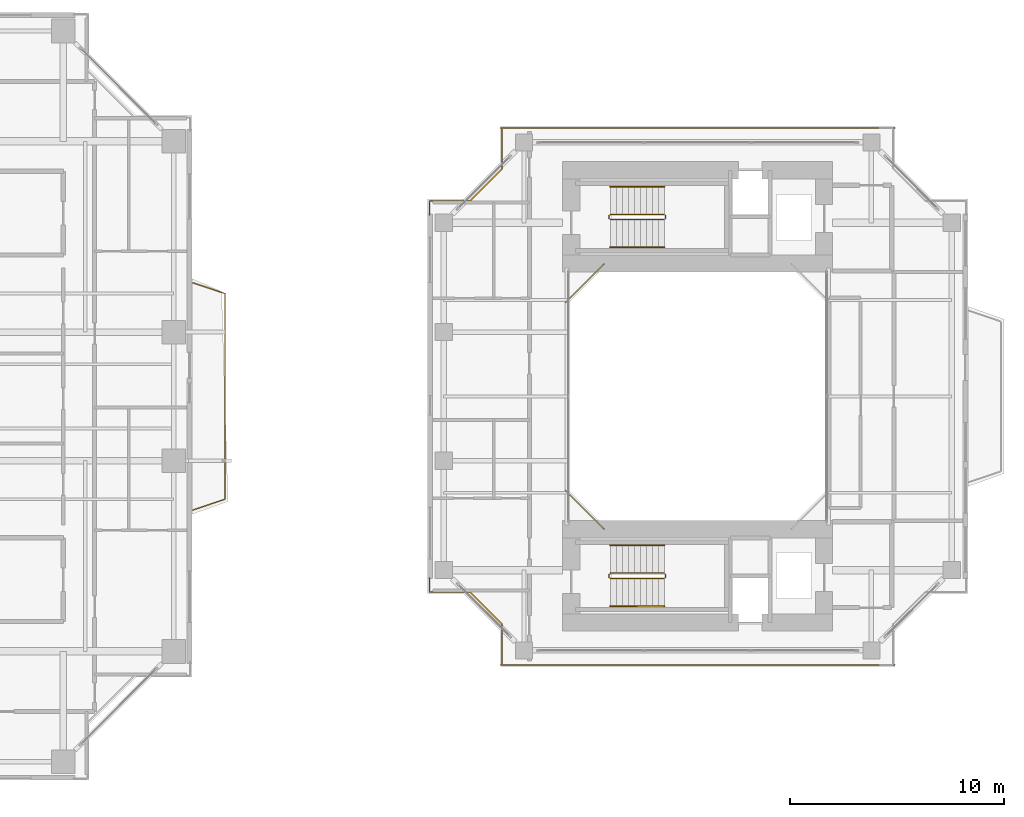
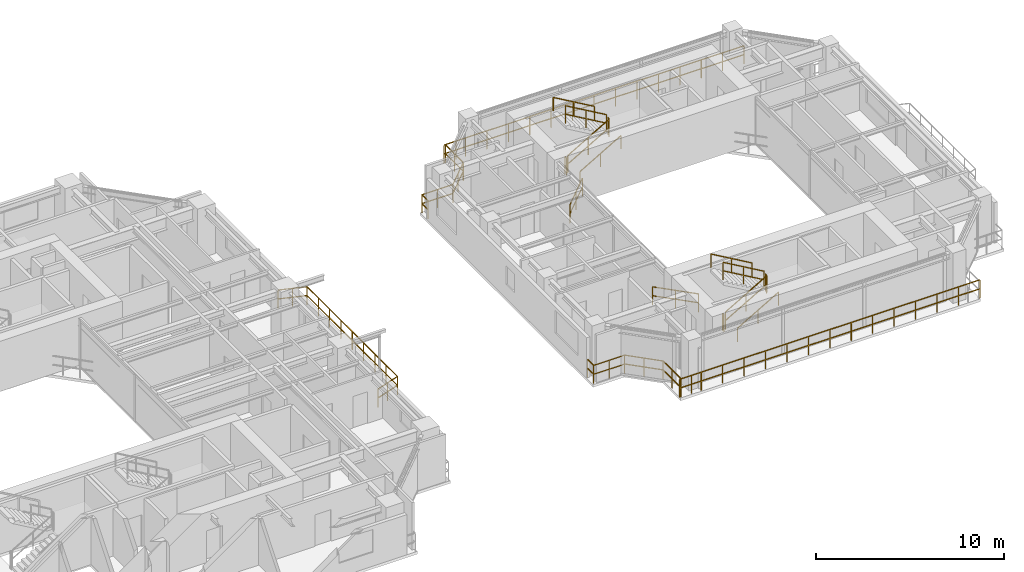
# One storey, part 23 of 24: 19 railings.
"""IFC4 building model written with IfcOpenShell, lengths in metres."""

from ifc_helpers import new_model, si_unit, direction, frame, origin, origin_2d, place, context, subcontext, project, spatial, rectangle, extrude, material, type_object, element, save


model = new_model("IFC4")

# Units and contexts
model_context = context("Model", 3, precision=1e-05, world=origin(), true_north=direction((0.0, 1.0)))
body_context = subcontext(model_context, "Body", "Model", "MODEL_VIEW")
ifc_project = project(units=[si_unit("LENGTHUNIT", "METRE"), si_unit("AREAUNIT", "SQUARE_METRE"), si_unit("VOLUMEUNIT", "CUBIC_METRE"), si_unit("PLANEANGLEUNIT", "RADIAN"), si_unit("MASSUNIT", "GRAM", prefix="KILO"), si_unit("THERMODYNAMICTEMPERATUREUNIT", "KELVIN"), si_unit("POWERUNIT", "WATT")], contexts=[model_context])

# Site, building, storey
site_placement = place(None, origin())
site = spatial("IfcSite", under=ifc_project, at=site_placement, CompositionType="ELEMENT")
building_placement = place(site_placement, origin())
building = spatial("IfcBuilding", under=site, at=building_placement, Name="Qiaomeng Ring Towers", CompositionType="ELEMENT")
storey_placement = place(building_placement, frame((0.0, 0.0, 106.75)))
storey = spatial("IfcBuildingStorey", under=building, at=storey_placement, Name="L30", CompositionType="ELEMENT", Elevation=106.75)

# Railings
ifc_material_1 = material(Name="Low-E pale-green laminated safety glass", Category="glass")
railing_type_1 = type_object("IfcRailingType", Name="ARC-RL-BAL1", PredefinedType="BALUSTRADE", material=ifc_material_1)
railing_1_placement = place(storey_placement, frame((36.949951171875, 17.699951171875, 0.0)))
element("IfcRailing", 1, at=railing_1_placement, inside=storey, type_object=railing_type_1, Name="L30 Balustrade ARC-BAL-L30-T1-E", PredefinedType="BALUSTRADE", context=body_context, shape_type="SweptSolid", body=[
    extrude(rectangle(XDim=0.048095703125, YDim=0.048095703125, at=origin_2d()), frame((0.0, 0.0, 1.17578125), z_axis=(0.948044476945, 0.318137815629, 0.0), x_axis=(-0.318137815629, 0.948044476945, 0.0)), (0.0, 0.0, 1.0), 1.571533203125),
    extrude(rectangle(XDim=0.048095703125, YDim=0.048095703125, at=origin_2d()), frame((0.0, 0.0, 0.60009765625), z_axis=(0.948044476945, 0.318137815629, 0.0), x_axis=(-0.318137815629, 0.948044476945, 0.0)), (0.0, 0.0, 1.0), 1.571533203125),
    extrude(rectangle(XDim=0.048095703125, YDim=0.048095703125, at=origin_2d()), frame((1.489990234375, 0.5, 1.17578125), z_axis=(0.0, 1.0, 0.0), x_axis=(-1.0, 0.0, 0.0)), (0.0, 0.0, 1.0), 9.60009765625),
    extrude(rectangle(XDim=0.048095703125, YDim=0.048095703125, at=origin_2d()), frame((1.489990234375, 0.5, 0.60009765625), z_axis=(0.0, 1.0, 0.0), x_axis=(-1.0, 0.0, 0.0)), (0.0, 0.0, 1.0), 9.60009765625),
    extrude(rectangle(XDim=0.048095703125, YDim=0.048095703125, at=origin_2d()), frame((1.489990234375, 10.10009765625, 1.17578125), z_axis=(-0.948044476945, 0.318137815629, 0.0), x_axis=(-0.318137815629, -0.948044476945, 0.0)), (0.0, 0.0, 1.0), 1.571533203125),
    extrude(rectangle(XDim=0.048095703125, YDim=0.048095703125, at=origin_2d()), frame((1.489990234375, 10.10009765625, 0.60009765625), z_axis=(-0.948044476945, 0.318137815629, 0.0), x_axis=(-0.318137815629, -0.948044476945, 0.0)), (0.0, 0.0, 1.0), 1.571533203125),
    extrude(rectangle(XDim=0.0419921875, YDim=0.0419921875, at=origin_2d()), origin(), (0.0, 0.0, 1.0), 1.15185546875),
    extrude(rectangle(XDim=0.0419921875, YDim=0.0419921875, at=origin_2d()), frame((0.7451171875, 0.25, 0.0)), (0.0, 0.0, 1.0), 1.15185546875),
    extrude(rectangle(XDim=0.0419921875, YDim=0.0419921875, at=origin_2d()), frame((1.489990234375, 0.5, 0.0)), (0.0, 0.0, 1.0), 1.15185546875),
    extrude(rectangle(XDim=0.0419921875, YDim=0.0419921875, at=origin_2d()), frame((1.489990234375, 1.699951171875, 0.0)), (0.0, 0.0, 1.0), 1.15185546875),
    extrude(rectangle(XDim=0.0419921875, YDim=0.0419921875, at=origin_2d()), frame((1.489990234375, 2.89990234375, 0.0)), (0.0, 0.0, 1.0), 1.15185546875),
    extrude(rectangle(XDim=0.0419921875, YDim=0.0419921875, at=origin_2d()), frame((1.489990234375, 4.10009765625, 0.0)), (0.0, 0.0, 1.0), 1.15185546875),
    extrude(rectangle(XDim=0.0419921875, YDim=0.0419921875, at=origin_2d()), frame((1.489990234375, 5.300048828125, 0.0)), (0.0, 0.0, 1.0), 1.15185546875),
    extrude(rectangle(XDim=0.0419921875, YDim=0.0419921875, at=origin_2d()), frame((1.489990234375, 6.5, 0.0)), (0.0, 0.0, 1.0), 1.15185546875),
    extrude(rectangle(XDim=0.0419921875, YDim=0.0419921875, at=origin_2d()), frame((1.489990234375, 7.7001953125, 0.0)), (0.0, 0.0, 1.0), 1.15185546875),
    extrude(rectangle(XDim=0.0419921875, YDim=0.0419921875, at=origin_2d()), frame((1.489990234375, 8.900146484375, 0.0)), (0.0, 0.0, 1.0), 1.15185546875),
    extrude(rectangle(XDim=0.0419921875, YDim=0.0419921875, at=origin_2d()), frame((1.489990234375, 10.10009765625, 0.0)), (0.0, 0.0, 1.0), 1.15185546875),
    extrude(rectangle(XDim=0.0419921875, YDim=0.0419921875, at=origin_2d()), frame((0.7451171875, 10.35009765625, 0.0)), (0.0, 0.0, 1.0), 1.15185546875),
    extrude(rectangle(XDim=0.0419921875, YDim=0.0419921875, at=origin_2d()), frame((0.0, 10.60009765625, 0.0)), (0.0, 0.0, 1.0), 1.15185546875),
])
railing_2_placement = place(storey_placement, frame((56.1201171875, 29.179931640625, 0.0)))
element("IfcRailing", 2, at=railing_2_placement, inside=storey, type_object=railing_type_1, Name="L30 Balustrade ARC-BAL-WELL2-L30-3", PredefinedType="BALUSTRADE", context=body_context, shape_type="SweptSolid", body=[
    extrude(rectangle(XDim=0.048095703125, YDim=0.048095703125, at=origin_2d()), frame((0.0, 0.0, 1.17578125), z_axis=(-0.707106781187, -0.707106781187, 0.0), x_axis=(0.707106781187, -0.707106781187, 0.0)), (0.0, 0.0, 1.0), 2.545654296875),
    extrude(rectangle(XDim=0.048095703125, YDim=0.048095703125, at=origin_2d()), frame((0.0, 0.0, 0.60009765625), z_axis=(-0.707106781187, -0.707106781187, 0.0), x_axis=(0.707106781187, -0.707106781187, 0.0)), (0.0, 0.0, 1.0), 2.545654296875),
    extrude(rectangle(XDim=0.0419921875, YDim=0.0419921875, at=origin_2d()), origin(), (0.0, 0.0, 1.0), 1.15185546875),
    extrude(rectangle(XDim=0.0419921875, YDim=0.0419921875, at=origin_2d()), frame((-0.89990234375, -0.89990234375, 0.0)), (0.0, 0.0, 1.0), 1.15185546875),
    extrude(rectangle(XDim=0.0419921875, YDim=0.0419921875, at=origin_2d()), frame((-1.800048828125, -1.800048828125, 0.0)), (0.0, 0.0, 1.0), 1.15185546875),
])
railing_3_placement = place(storey_placement, frame((54.320068359375, 18.6201171875, 0.0)))
element("IfcRailing", 3, at=railing_3_placement, inside=storey, type_object=railing_type_1, Name="L30 Balustrade ARC-BAL-WELL2-L30-4", PredefinedType="BALUSTRADE", context=body_context, shape_type="SweptSolid", body=[
    extrude(rectangle(XDim=0.048095703125, YDim=0.048095703125, at=origin_2d()), frame((0.0, 0.0, 1.17578125), z_axis=(0.707106781187, -0.707106781187, 0.0), x_axis=(0.707106781187, 0.707106781187, 0.0)), (0.0, 0.0, 1.0), 2.545654296875),
    extrude(rectangle(XDim=0.048095703125, YDim=0.048095703125, at=origin_2d()), frame((0.0, 0.0, 0.60009765625), z_axis=(0.707106781187, -0.707106781187, 0.0), x_axis=(0.707106781187, 0.707106781187, 0.0)), (0.0, 0.0, 1.0), 2.545654296875),
    extrude(rectangle(XDim=0.0419921875, YDim=0.0419921875, at=origin_2d()), origin(), (0.0, 0.0, 1.0), 1.15185546875),
    extrude(rectangle(XDim=0.0419921875, YDim=0.0419921875, at=origin_2d()), frame((0.89990234375, -0.89990234375, 0.0)), (0.0, 0.0, 1.0), 1.15185546875),
    extrude(rectangle(XDim=0.0419921875, YDim=0.0419921875, at=origin_2d()), frame((1.800048828125, -1.800048828125, 0.0)), (0.0, 0.0, 1.0), 1.15185546875),
])
railing_4_placement = place(storey_placement, frame((52.030029296875, 35.52001953125, 0.0)))
element("IfcRailing", 4, at=railing_4_placement, inside=storey, type_object=railing_type_1, Name="L30 Balustrade ARC-BAL-NOTCH2-L30-NW", PredefinedType="BALUSTRADE", context=body_context, shape_type="SweptSolid", body=[
    extrude(rectangle(XDim=0.048095703125, YDim=0.048095703125, at=origin_2d()), frame((0.0, 0.0, 1.17578125), z_axis=(-1.0, 0.0, 0.0), x_axis=(0.0, -1.0, 0.0)), (0.0, 0.0, 1.0), 0.650146484375),
    extrude(rectangle(XDim=0.048095703125, YDim=0.048095703125, at=origin_2d()), frame((0.0, 0.0, 0.60009765625), z_axis=(-1.0, 0.0, 0.0), x_axis=(0.0, -1.0, 0.0)), (0.0, 0.0, 1.0), 0.650146484375),
    extrude(rectangle(XDim=0.048095703125, YDim=0.048095703125, at=origin_2d()), frame((-0.650146484375, 0.0, 1.17578125), z_axis=(0.0, -1.0, 0.0), x_axis=(1.0, 0.0, 0.0)), (0.0, 0.0, 1.0), 1.89990234375),
    extrude(rectangle(XDim=0.048095703125, YDim=0.048095703125, at=origin_2d()), frame((-0.650146484375, 0.0, 0.60009765625), z_axis=(0.0, -1.0, 0.0), x_axis=(1.0, 0.0, 0.0)), (0.0, 0.0, 1.0), 1.89990234375),
    extrude(rectangle(XDim=0.048095703125, YDim=0.048095703125, at=origin_2d()), frame((-0.650146484375, -1.89990234375, 1.17578125), z_axis=(-0.707106781187, -0.707106781187, 0.0), x_axis=(0.707106781187, -0.707106781187, 0.0)), (0.0, 0.0, 1.0), 2.121337890625),
    extrude(rectangle(XDim=0.048095703125, YDim=0.048095703125, at=origin_2d()), frame((-0.650146484375, -1.89990234375, 0.60009765625), z_axis=(-0.707106781187, -0.707106781187, 0.0), x_axis=(0.707106781187, -0.707106781187, 0.0)), (0.0, 0.0, 1.0), 2.121337890625),
    extrude(rectangle(XDim=0.048095703125, YDim=0.048095703125, at=origin_2d()), frame((-2.150146484375, -3.39990234375, 1.17578125), z_axis=(-1.0, 0.0, 0.0), x_axis=(0.0, -1.0, 0.0)), (0.0, 0.0, 1.0), 1.89990234375),
    extrude(rectangle(XDim=0.048095703125, YDim=0.048095703125, at=origin_2d()), frame((-2.150146484375, -3.39990234375, 0.60009765625), z_axis=(-1.0, 0.0, 0.0), x_axis=(0.0, -1.0, 0.0)), (0.0, 0.0, 1.0), 1.89990234375),
    extrude(rectangle(XDim=0.048095703125, YDim=0.048095703125, at=origin_2d()), frame((-4.050048828125, -3.39990234375, 1.17578125), z_axis=(0.0, -1.0, 0.0), x_axis=(1.0, 0.0, 0.0)), (0.0, 0.0, 1.0), 0.650146484375),
    extrude(rectangle(XDim=0.048095703125, YDim=0.048095703125, at=origin_2d()), frame((-4.050048828125, -3.39990234375, 0.60009765625), z_axis=(0.0, -1.0, 0.0), x_axis=(1.0, 0.0, 0.0)), (0.0, 0.0, 1.0), 0.650146484375),
    extrude(rectangle(XDim=0.0419921875, YDim=0.0419921875, at=origin_2d()), origin(), (0.0, 0.0, 1.0), 1.15185546875),
    extrude(rectangle(XDim=0.0419921875, YDim=0.0419921875, at=origin_2d()), frame((-0.650146484375, 0.0, 0.0)), (0.0, 0.0, 1.0), 1.15185546875),
    extrude(rectangle(XDim=0.0419921875, YDim=0.0419921875, at=origin_2d()), frame((-0.650146484375, -0.949951171875, 0.0)), (0.0, 0.0, 1.0), 1.15185546875),
    extrude(rectangle(XDim=0.0419921875, YDim=0.0419921875, at=origin_2d()), frame((-0.650146484375, -1.89990234375, 0.0)), (0.0, 0.0, 1.0), 1.15185546875),
    extrude(rectangle(XDim=0.0419921875, YDim=0.0419921875, at=origin_2d()), frame((-1.400146484375, -2.64990234375, 0.0)), (0.0, 0.0, 1.0), 1.15185546875),
    extrude(rectangle(XDim=0.0419921875, YDim=0.0419921875, at=origin_2d()), frame((-2.150146484375, -3.39990234375, 0.0)), (0.0, 0.0, 1.0), 1.15185546875),
    extrude(rectangle(XDim=0.0419921875, YDim=0.0419921875, at=origin_2d()), frame((-3.10009765625, -3.39990234375, 0.0)), (0.0, 0.0, 1.0), 1.15185546875),
    extrude(rectangle(XDim=0.0419921875, YDim=0.0419921875, at=origin_2d()), frame((-4.050048828125, -3.39990234375, 0.0)), (0.0, 0.0, 1.0), 1.15185546875),
    extrude(rectangle(XDim=0.0419921875, YDim=0.0419921875, at=origin_2d()), frame((-4.050048828125, -4.050048828125, 0.0)), (0.0, 0.0, 1.0), 1.15185546875),
])
railing_5_placement = place(storey_placement, frame((47.97998046875, 14.530029296875, 0.0)))
element("IfcRailing", 5, at=railing_5_placement, inside=storey, type_object=railing_type_1, Name="L30 Balustrade ARC-BAL-NOTCH2-L30-SW", PredefinedType="BALUSTRADE", context=body_context, shape_type="SweptSolid", body=[
    extrude(rectangle(XDim=0.048095703125, YDim=0.048095703125, at=origin_2d()), frame((0.0, 0.0, 1.17578125), z_axis=(0.0, -1.0, 0.0), x_axis=(1.0, 0.0, 0.0)), (0.0, 0.0, 1.0), 0.650146484375),
    extrude(rectangle(XDim=0.048095703125, YDim=0.048095703125, at=origin_2d()), frame((0.0, 0.0, 0.60009765625), z_axis=(0.0, -1.0, 0.0), x_axis=(1.0, 0.0, 0.0)), (0.0, 0.0, 1.0), 0.650146484375),
    extrude(rectangle(XDim=0.048095703125, YDim=0.048095703125, at=origin_2d()), frame((0.0, -0.650146484375, 1.17578125), z_axis=(1.0, 0.0, 0.0), x_axis=(0.0, 1.0, 0.0)), (0.0, 0.0, 1.0), 1.89990234375),
    extrude(rectangle(XDim=0.048095703125, YDim=0.048095703125, at=origin_2d()), frame((0.0, -0.650146484375, 0.60009765625), z_axis=(1.0, 0.0, 0.0), x_axis=(0.0, 1.0, 0.0)), (0.0, 0.0, 1.0), 1.89990234375),
    extrude(rectangle(XDim=0.048095703125, YDim=0.048095703125, at=origin_2d()), frame((1.89990234375, -0.650146484375, 1.17578125), z_axis=(0.707106781187, -0.707106781187, 0.0), x_axis=(0.707106781187, 0.707106781187, 0.0)), (0.0, 0.0, 1.0), 2.121337890625),
    extrude(rectangle(XDim=0.048095703125, YDim=0.048095703125, at=origin_2d()), frame((1.89990234375, -0.650146484375, 0.60009765625), z_axis=(0.707106781187, -0.707106781187, 0.0), x_axis=(0.707106781187, 0.707106781187, 0.0)), (0.0, 0.0, 1.0), 2.121337890625),
    extrude(rectangle(XDim=0.048095703125, YDim=0.048095703125, at=origin_2d()), frame((3.39990234375, -2.150146484375, 1.17578125), z_axis=(0.0, -1.0, 0.0), x_axis=(1.0, 0.0, 0.0)), (0.0, 0.0, 1.0), 1.89990234375),
    extrude(rectangle(XDim=0.048095703125, YDim=0.048095703125, at=origin_2d()), frame((3.39990234375, -2.150146484375, 0.60009765625), z_axis=(0.0, -1.0, 0.0), x_axis=(1.0, 0.0, 0.0)), (0.0, 0.0, 1.0), 1.89990234375),
    extrude(rectangle(XDim=0.048095703125, YDim=0.048095703125, at=origin_2d()), frame((3.39990234375, -4.050048828125, 1.17578125), z_axis=(1.0, 0.0, 0.0), x_axis=(0.0, 1.0, 0.0)), (0.0, 0.0, 1.0), 0.650146484375),
    extrude(rectangle(XDim=0.048095703125, YDim=0.048095703125, at=origin_2d()), frame((3.39990234375, -4.050048828125, 0.60009765625), z_axis=(1.0, 0.0, 0.0), x_axis=(0.0, 1.0, 0.0)), (0.0, 0.0, 1.0), 0.650146484375),
    extrude(rectangle(XDim=0.0419921875, YDim=0.0419921875, at=origin_2d()), origin(), (0.0, 0.0, 1.0), 1.15185546875),
    extrude(rectangle(XDim=0.0419921875, YDim=0.0419921875, at=origin_2d()), frame((0.0, -0.650146484375, 0.0)), (0.0, 0.0, 1.0), 1.15185546875),
    extrude(rectangle(XDim=0.0419921875, YDim=0.0419921875, at=origin_2d()), frame((0.949951171875, -0.650146484375, 0.0)), (0.0, 0.0, 1.0), 1.15185546875),
    extrude(rectangle(XDim=0.0419921875, YDim=0.0419921875, at=origin_2d()), frame((1.89990234375, -0.650146484375, 0.0)), (0.0, 0.0, 1.0), 1.15185546875),
    extrude(rectangle(XDim=0.0419921875, YDim=0.0419921875, at=origin_2d()), frame((2.64990234375, -1.400146484375, 0.0)), (0.0, 0.0, 1.0), 1.15185546875),
    extrude(rectangle(XDim=0.0419921875, YDim=0.0419921875, at=origin_2d()), frame((3.39990234375, -2.150146484375, 0.0)), (0.0, 0.0, 1.0), 1.15185546875),
    extrude(rectangle(XDim=0.0419921875, YDim=0.0419921875, at=origin_2d()), frame((3.39990234375, -3.10009765625, 0.0)), (0.0, 0.0, 1.0), 1.15185546875),
    extrude(rectangle(XDim=0.0419921875, YDim=0.0419921875, at=origin_2d()), frame((3.39990234375, -4.050048828125, 0.0)), (0.0, 0.0, 1.0), 1.15185546875),
    extrude(rectangle(XDim=0.0419921875, YDim=0.0419921875, at=origin_2d()), frame((4.050048828125, -4.050048828125, 0.0)), (0.0, 0.0, 1.0), 1.15185546875),
])
railing_6_placement = place(storey_placement, frame((51.300048828125, 35.52001953125, 0.0)))
element("IfcRailing", 6, at=railing_6_placement, inside=storey, type_object=railing_type_1, Name="L30 Balustrade ARC-BAL-T2N-L30", PredefinedType="BALUSTRADE", context=body_context, shape_type="SweptSolid", body=[
    extrude(rectangle(XDim=0.048095703125, YDim=0.048095703125, at=origin_2d()), frame((0.0, 0.0, 1.17578125), z_axis=(1.0, 0.0, 0.0), x_axis=(0.0, 1.0, 0.0)), (0.0, 0.0, 1.0), 18.39990234375),
    extrude(rectangle(XDim=0.048095703125, YDim=0.048095703125, at=origin_2d()), frame((0.0, 0.0, 0.60009765625), z_axis=(1.0, 0.0, 0.0), x_axis=(0.0, 1.0, 0.0)), (0.0, 0.0, 1.0), 18.39990234375),
    extrude(rectangle(XDim=0.0419921875, YDim=0.0419921875, at=origin_2d()), origin(), (0.0, 0.0, 1.0), 1.15185546875),
    extrude(rectangle(XDim=0.0419921875, YDim=0.0419921875, at=origin_2d()), frame((1.314208984375, 0.0, 0.0)), (0.0, 0.0, 1.0), 1.15185546875),
    extrude(rectangle(XDim=0.0419921875, YDim=0.0419921875, at=origin_2d()), frame((2.628662109375, 0.0, 0.0)), (0.0, 0.0, 1.0), 1.15185546875),
    extrude(rectangle(XDim=0.0419921875, YDim=0.0419921875, at=origin_2d()), frame((3.94287109375, 0.0, 0.0)), (0.0, 0.0, 1.0), 1.15185546875),
    extrude(rectangle(XDim=0.0419921875, YDim=0.0419921875, at=origin_2d()), frame((5.257080078125, 0.0, 0.0)), (0.0, 0.0, 1.0), 1.15185546875),
    extrude(rectangle(XDim=0.0419921875, YDim=0.0419921875, at=origin_2d()), frame((6.5712890625, 0.0, 0.0)), (0.0, 0.0, 1.0), 1.15185546875),
    extrude(rectangle(XDim=0.0419921875, YDim=0.0419921875, at=origin_2d()), frame((7.8857421875, 0.0, 0.0)), (0.0, 0.0, 1.0), 1.15185546875),
    extrude(rectangle(XDim=0.0419921875, YDim=0.0419921875, at=origin_2d()), frame((9.199951171875, 0.0, 0.0)), (0.0, 0.0, 1.0), 1.15185546875),
    extrude(rectangle(XDim=0.0419921875, YDim=0.0419921875, at=origin_2d()), frame((10.51416015625, 0.0, 0.0)), (0.0, 0.0, 1.0), 1.15185546875),
    extrude(rectangle(XDim=0.0419921875, YDim=0.0419921875, at=origin_2d()), frame((11.82861328125, 0.0, 0.0)), (0.0, 0.0, 1.0), 1.15185546875),
    extrude(rectangle(XDim=0.0419921875, YDim=0.0419921875, at=origin_2d()), frame((13.142822265625, 0.0, 0.0)), (0.0, 0.0, 1.0), 1.15185546875),
    extrude(rectangle(XDim=0.0419921875, YDim=0.0419921875, at=origin_2d()), frame((14.45703125, 0.0, 0.0)), (0.0, 0.0, 1.0), 1.15185546875),
    extrude(rectangle(XDim=0.0419921875, YDim=0.0419921875, at=origin_2d()), frame((15.771240234375, 0.0, 0.0)), (0.0, 0.0, 1.0), 1.15185546875),
    extrude(rectangle(XDim=0.0419921875, YDim=0.0419921875, at=origin_2d()), frame((17.085693359375, 0.0, 0.0)), (0.0, 0.0, 1.0), 1.15185546875),
    extrude(rectangle(XDim=0.0419921875, YDim=0.0419921875, at=origin_2d()), frame((18.39990234375, 0.0, 0.0)), (0.0, 0.0, 1.0), 1.15185546875),
])
railing_7_placement = place(storey_placement, frame((51.300048828125, 10.47998046875, 0.0)))
element("IfcRailing", 7, at=railing_7_placement, inside=storey, type_object=railing_type_1, Name="L30 Balustrade ARC-BAL-T2S-L30", PredefinedType="BALUSTRADE", context=body_context, shape_type="SweptSolid", body=[
    extrude(rectangle(XDim=0.048095703125, YDim=0.048095703125, at=origin_2d()), frame((0.0, 0.0, 1.17578125), z_axis=(1.0, 0.0, 0.0), x_axis=(0.0, 1.0, 0.0)), (0.0, 0.0, 1.0), 18.39990234375),
    extrude(rectangle(XDim=0.048095703125, YDim=0.048095703125, at=origin_2d()), frame((0.0, 0.0, 0.60009765625), z_axis=(1.0, 0.0, 0.0), x_axis=(0.0, 1.0, 0.0)), (0.0, 0.0, 1.0), 18.39990234375),
    extrude(rectangle(XDim=0.0419921875, YDim=0.0419921875, at=origin_2d()), origin(), (0.0, 0.0, 1.0), 1.15185546875),
    extrude(rectangle(XDim=0.0419921875, YDim=0.0419921875, at=origin_2d()), frame((1.314208984375, 0.0, 0.0)), (0.0, 0.0, 1.0), 1.15185546875),
    extrude(rectangle(XDim=0.0419921875, YDim=0.0419921875, at=origin_2d()), frame((2.628662109375, 0.0, 0.0)), (0.0, 0.0, 1.0), 1.15185546875),
    extrude(rectangle(XDim=0.0419921875, YDim=0.0419921875, at=origin_2d()), frame((3.94287109375, 0.0, 0.0)), (0.0, 0.0, 1.0), 1.15185546875),
    extrude(rectangle(XDim=0.0419921875, YDim=0.0419921875, at=origin_2d()), frame((5.257080078125, 0.0, 0.0)), (0.0, 0.0, 1.0), 1.15185546875),
    extrude(rectangle(XDim=0.0419921875, YDim=0.0419921875, at=origin_2d()), frame((6.5712890625, 0.0, 0.0)), (0.0, 0.0, 1.0), 1.15185546875),
    extrude(rectangle(XDim=0.0419921875, YDim=0.0419921875, at=origin_2d()), frame((7.8857421875, 0.0, 0.0)), (0.0, 0.0, 1.0), 1.15185546875),
    extrude(rectangle(XDim=0.0419921875, YDim=0.0419921875, at=origin_2d()), frame((9.199951171875, 0.0, 0.0)), (0.0, 0.0, 1.0), 1.15185546875),
    extrude(rectangle(XDim=0.0419921875, YDim=0.0419921875, at=origin_2d()), frame((10.51416015625, 0.0, 0.0)), (0.0, 0.0, 1.0), 1.15185546875),
    extrude(rectangle(XDim=0.0419921875, YDim=0.0419921875, at=origin_2d()), frame((11.82861328125, 0.0, 0.0)), (0.0, 0.0, 1.0), 1.15185546875),
    extrude(rectangle(XDim=0.0419921875, YDim=0.0419921875, at=origin_2d()), frame((13.142822265625, 0.0, 0.0)), (0.0, 0.0, 1.0), 1.15185546875),
    extrude(rectangle(XDim=0.0419921875, YDim=0.0419921875, at=origin_2d()), frame((14.45703125, 0.0, 0.0)), (0.0, 0.0, 1.0), 1.15185546875),
    extrude(rectangle(XDim=0.0419921875, YDim=0.0419921875, at=origin_2d()), frame((15.771240234375, 0.0, 0.0)), (0.0, 0.0, 1.0), 1.15185546875),
    extrude(rectangle(XDim=0.0419921875, YDim=0.0419921875, at=origin_2d()), frame((17.085693359375, 0.0, 0.0)), (0.0, 0.0, 1.0), 1.15185546875),
    extrude(rectangle(XDim=0.0419921875, YDim=0.0419921875, at=origin_2d()), frame((18.39990234375, 0.0, 0.0)), (0.0, 0.0, 1.0), 1.15185546875),
])
ifc_material_2 = material(Name="Galvanised steel", Category="steel")
railing_type_2 = type_object("IfcRailingType", Name="ARC-RL-GUARD", PredefinedType="GUARDRAIL", material=ifc_material_2)
railing_8_placement = place(storey_placement, frame((56.419921875, 31.25, 0.16259765625)))
element("IfcRailing", 8, at=railing_8_placement, inside=storey, type_object=railing_type_2, Name="L30 ST5 stair guard 1", PredefinedType="GUARDRAIL", context=body_context, shape_type="SweptSolid", body=[
    extrude(rectangle(XDim=0.048095703125, YDim=0.048095703125, at=origin_2d()), frame((0.0, 0.0, 1.1259765625), z_axis=(0.864913338283, 0.0, 0.50192122615), x_axis=(0.0, 1.0, 0.0)), (0.0, 0.0, 1.0), 2.91357421875),
    extrude(rectangle(XDim=0.048095703125, YDim=0.048095703125, at=origin_2d()), frame((0.0, 0.0, 0.574951171875), z_axis=(0.864913338283, 0.0, 0.50192122615), x_axis=(0.0, 1.0, 0.0)), (0.0, 0.0, 1.0), 2.91357421875),
    extrude(rectangle(XDim=0.0419921875, YDim=0.0419921875, at=origin_2d()), origin(), (0.0, 0.0, 1.0), 1.101806640625),
    extrude(rectangle(XDim=0.0419921875, YDim=0.0419921875, at=origin_2d()), frame((1.260009765625, 0.0, 0.731201171875)), (0.0, 0.0, 1.0), 1.101806640625),
    extrude(rectangle(XDim=0.0419921875, YDim=0.0419921875, at=origin_2d()), frame((2.52001953125, 0.0, 1.46240234375)), (0.0, 0.0, 1.0), 1.101806640625),
])
railing_9_placement = place(storey_placement, frame((58.989990234375, 31.300048828125, 1.625)))
element("IfcRailing", 9, at=railing_9_placement, inside=storey, type_object=railing_type_2, Name="L30 ST5 stair guard 2", PredefinedType="GUARDRAIL", context=body_context, shape_type="SweptSolid", body=[
    extrude(rectangle(XDim=0.048095703125, YDim=0.048095703125, at=origin_2d()), frame((0.0, 0.0, 1.1259765625), z_axis=(0.0, 1.0, 0.0), x_axis=(-1.0, 0.0, 0.0)), (0.0, 0.0, 1.0), 0.139892578125),
    extrude(rectangle(XDim=0.048095703125, YDim=0.048095703125, at=origin_2d()), frame((0.0, 0.0, 0.574951171875), z_axis=(0.0, 1.0, 0.0), x_axis=(-1.0, 0.0, 0.0)), (0.0, 0.0, 1.0), 0.139892578125),
    extrude(rectangle(XDim=0.0419921875, YDim=0.0419921875, at=origin_2d()), origin(), (0.0, 0.0, 1.0), 1.101806640625),
    extrude(rectangle(XDim=0.0419921875, YDim=0.0419921875, at=origin_2d()), frame((0.0, 0.139892578125, 0.0)), (0.0, 0.0, 1.0), 1.101806640625),
])
railing_10_placement = place(storey_placement, frame((58.93994140625, 31.489990234375, 1.78759765625)))
element("IfcRailing", 10, at=railing_10_placement, inside=storey, type_object=railing_type_2, Name="L30 ST5 stair guard 3", PredefinedType="GUARDRAIL", context=body_context, shape_type="SweptSolid", body=[
    extrude(rectangle(XDim=0.048095703125, YDim=0.048095703125, at=origin_2d()), frame((0.0, 0.0, 1.1259765625), z_axis=(-0.864913338283, 0.0, 0.50192122615), x_axis=(0.0, -1.0, 0.0)), (0.0, 0.0, 1.0), 2.91357421875),
    extrude(rectangle(XDim=0.048095703125, YDim=0.048095703125, at=origin_2d()), frame((0.0, 0.0, 0.574951171875), z_axis=(-0.864913338283, 0.0, 0.50192122615), x_axis=(0.0, -1.0, 0.0)), (0.0, 0.0, 1.0), 2.91357421875),
    extrude(rectangle(XDim=0.0419921875, YDim=0.0419921875, at=origin_2d()), origin(), (0.0, 0.0, 1.0), 1.101806640625),
    extrude(rectangle(XDim=0.0419921875, YDim=0.0419921875, at=origin_2d()), frame((-1.260009765625, 0.0, 0.731201171875)), (0.0, 0.0, 1.0), 1.101806640625),
    extrude(rectangle(XDim=0.0419921875, YDim=0.0419921875, at=origin_2d()), frame((-2.52001953125, 0.0, 1.46240234375)), (0.0, 0.0, 1.0), 1.101806640625),
])
railing_11_placement = place(storey_placement, frame((56.3701171875, 31.300048828125, 0.0)))
element("IfcRailing", 11, at=railing_11_placement, inside=storey, type_object=railing_type_2, Name="L30 ST5 stair guard 4", PredefinedType="GUARDRAIL", context=body_context, shape_type="SweptSolid", body=[
    extrude(rectangle(XDim=0.048095703125, YDim=0.048095703125, at=origin_2d()), frame((0.0, 0.0, 1.1259765625), z_axis=(0.0, 1.0, 0.0), x_axis=(-1.0, 0.0, 0.0)), (0.0, 0.0, 1.0), 0.139892578125),
    extrude(rectangle(XDim=0.048095703125, YDim=0.048095703125, at=origin_2d()), frame((0.0, 0.0, 0.574951171875), z_axis=(0.0, 1.0, 0.0), x_axis=(-1.0, 0.0, 0.0)), (0.0, 0.0, 1.0), 0.139892578125),
    extrude(rectangle(XDim=0.0419921875, YDim=0.0419921875, at=origin_2d()), origin(), (0.0, 0.0, 1.0), 1.101806640625),
    extrude(rectangle(XDim=0.0419921875, YDim=0.0419921875, at=origin_2d()), frame((0.0, 0.139892578125, 0.0)), (0.0, 0.0, 1.0), 1.101806640625),
])
railing_12_placement = place(storey_placement, frame((56.419921875, 14.510009765625, 0.16259765625)))
element("IfcRailing", 12, at=railing_12_placement, inside=storey, type_object=railing_type_2, Name="L30 ST6 stair guard 1", PredefinedType="GUARDRAIL", context=body_context, shape_type="SweptSolid", body=[
    extrude(rectangle(XDim=0.048095703125, YDim=0.048095703125, at=origin_2d()), frame((0.0, 0.0, 1.1259765625), z_axis=(0.864913338283, 0.0, 0.50192122615), x_axis=(0.0, 1.0, 0.0)), (0.0, 0.0, 1.0), 2.91357421875),
    extrude(rectangle(XDim=0.048095703125, YDim=0.048095703125, at=origin_2d()), frame((0.0, 0.0, 0.574951171875), z_axis=(0.864913338283, 0.0, 0.50192122615), x_axis=(0.0, 1.0, 0.0)), (0.0, 0.0, 1.0), 2.91357421875),
    extrude(rectangle(XDim=0.0419921875, YDim=0.0419921875, at=origin_2d()), origin(), (0.0, 0.0, 1.0), 1.101806640625),
    extrude(rectangle(XDim=0.0419921875, YDim=0.0419921875, at=origin_2d()), frame((1.260009765625, 0.0, 0.731201171875)), (0.0, 0.0, 1.0), 1.101806640625),
    extrude(rectangle(XDim=0.0419921875, YDim=0.0419921875, at=origin_2d()), frame((2.52001953125, 0.0, 1.46240234375)), (0.0, 0.0, 1.0), 1.101806640625),
])
railing_13_placement = place(storey_placement, frame((58.989990234375, 14.56005859375, 1.625)))
element("IfcRailing", 13, at=railing_13_placement, inside=storey, type_object=railing_type_2, Name="L30 ST6 stair guard 2", PredefinedType="GUARDRAIL", context=body_context, shape_type="SweptSolid", body=[
    extrude(rectangle(XDim=0.048095703125, YDim=0.048095703125, at=origin_2d()), frame((0.0, 0.0, 1.1259765625), z_axis=(0.0, 1.0, 0.0), x_axis=(-1.0, 0.0, 0.0)), (0.0, 0.0, 1.0), 0.139892578125),
    extrude(rectangle(XDim=0.048095703125, YDim=0.048095703125, at=origin_2d()), frame((0.0, 0.0, 0.574951171875), z_axis=(0.0, 1.0, 0.0), x_axis=(-1.0, 0.0, 0.0)), (0.0, 0.0, 1.0), 0.139892578125),
    extrude(rectangle(XDim=0.0419921875, YDim=0.0419921875, at=origin_2d()), origin(), (0.0, 0.0, 1.0), 1.101806640625),
    extrude(rectangle(XDim=0.0419921875, YDim=0.0419921875, at=origin_2d()), frame((0.0, 0.139892578125, 0.0)), (0.0, 0.0, 1.0), 1.101806640625),
])
railing_14_placement = place(storey_placement, frame((58.93994140625, 14.75, 1.78759765625)))
element("IfcRailing", 14, at=railing_14_placement, inside=storey, type_object=railing_type_2, Name="L30 ST6 stair guard 3", PredefinedType="GUARDRAIL", context=body_context, shape_type="SweptSolid", body=[
    extrude(rectangle(XDim=0.048095703125, YDim=0.048095703125, at=origin_2d()), frame((0.0, 0.0, 1.1259765625), z_axis=(-0.864913338283, 0.0, 0.50192122615), x_axis=(0.0, -1.0, 0.0)), (0.0, 0.0, 1.0), 2.91357421875),
    extrude(rectangle(XDim=0.048095703125, YDim=0.048095703125, at=origin_2d()), frame((0.0, 0.0, 0.574951171875), z_axis=(-0.864913338283, 0.0, 0.50192122615), x_axis=(0.0, -1.0, 0.0)), (0.0, 0.0, 1.0), 2.91357421875),
    extrude(rectangle(XDim=0.0419921875, YDim=0.0419921875, at=origin_2d()), origin(), (0.0, 0.0, 1.0), 1.101806640625),
    extrude(rectangle(XDim=0.0419921875, YDim=0.0419921875, at=origin_2d()), frame((-1.260009765625, 0.0, 0.731201171875)), (0.0, 0.0, 1.0), 1.101806640625),
    extrude(rectangle(XDim=0.0419921875, YDim=0.0419921875, at=origin_2d()), frame((-2.52001953125, 0.0, 1.46240234375)), (0.0, 0.0, 1.0), 1.101806640625),
])
railing_15_placement = place(storey_placement, frame((56.3701171875, 14.56005859375, 0.0)))
element("IfcRailing", 15, at=railing_15_placement, inside=storey, type_object=railing_type_2, Name="L30 ST6 stair guard 4", PredefinedType="GUARDRAIL", context=body_context, shape_type="SweptSolid", body=[
    extrude(rectangle(XDim=0.048095703125, YDim=0.048095703125, at=origin_2d()), frame((0.0, 0.0, 1.1259765625), z_axis=(0.0, 1.0, 0.0), x_axis=(-1.0, 0.0, 0.0)), (0.0, 0.0, 1.0), 0.139892578125),
    extrude(rectangle(XDim=0.048095703125, YDim=0.048095703125, at=origin_2d()), frame((0.0, 0.0, 0.574951171875), z_axis=(0.0, 1.0, 0.0), x_axis=(-1.0, 0.0, 0.0)), (0.0, 0.0, 1.0), 0.139892578125),
    extrude(rectangle(XDim=0.0419921875, YDim=0.0419921875, at=origin_2d()), origin(), (0.0, 0.0, 1.0), 1.101806640625),
    extrude(rectangle(XDim=0.0419921875, YDim=0.0419921875, at=origin_2d()), frame((0.0, 0.139892578125, 0.0)), (0.0, 0.0, 1.0), 1.101806640625),
])
ifc_material_3 = material(Name="Stainless steel 316", Category="steel")
railing_type_3 = type_object("IfcRailingType", Name="ARC-RL-HAND", PredefinedType="HANDRAIL", material=ifc_material_3)
railing_16_placement = place(storey_placement, frame((56.419921875, 29.949951171875, 0.16259765625)))
element("IfcRailing", 16, at=railing_16_placement, inside=storey, type_object=railing_type_3, Name="L30 ST5 stair handrail 1", PredefinedType="HANDRAIL", context=body_context, shape_type="SweptSolid", body=[
    extrude(rectangle(XDim=0.048095703125, YDim=0.048095703125, at=origin_2d()), frame((0.0, 0.0, 0.8759765625), z_axis=(0.864913338283, 0.0, 0.50192122615), x_axis=(0.0, 1.0, 0.0)), (0.0, 0.0, 1.0), 2.91357421875),
    extrude(rectangle(XDim=0.0419921875, YDim=0.0419921875, at=origin_2d()), origin(), (0.0, 0.0, 1.0), 0.851806640625),
    extrude(rectangle(XDim=0.0419921875, YDim=0.0419921875, at=origin_2d()), frame((1.260009765625, 0.0, 0.731201171875)), (0.0, 0.0, 1.0), 0.851806640625),
    extrude(rectangle(XDim=0.0419921875, YDim=0.0419921875, at=origin_2d()), frame((2.52001953125, 0.0, 1.46240234375)), (0.0, 0.0, 1.0), 0.851806640625),
])
railing_17_placement = place(storey_placement, frame((58.93994140625, 32.7900390625, 1.78759765625)))
element("IfcRailing", 17, at=railing_17_placement, inside=storey, type_object=railing_type_3, Name="L30 ST5 stair handrail 2", PredefinedType="HANDRAIL", context=body_context, shape_type="SweptSolid", body=[
    extrude(rectangle(XDim=0.048095703125, YDim=0.048095703125, at=origin_2d()), frame((0.0, 0.0, 0.8759765625), z_axis=(-0.864913338283, 0.0, 0.50192122615), x_axis=(0.0, -1.0, 0.0)), (0.0, 0.0, 1.0), 2.91357421875),
    extrude(rectangle(XDim=0.0419921875, YDim=0.0419921875, at=origin_2d()), origin(), (0.0, 0.0, 1.0), 0.851806640625),
    extrude(rectangle(XDim=0.0419921875, YDim=0.0419921875, at=origin_2d()), frame((-1.260009765625, 0.0, 0.731201171875)), (0.0, 0.0, 1.0), 0.851806640625),
    extrude(rectangle(XDim=0.0419921875, YDim=0.0419921875, at=origin_2d()), frame((-2.52001953125, 0.0, 1.46240234375)), (0.0, 0.0, 1.0), 0.851806640625),
])
railing_18_placement = place(storey_placement, frame((56.419921875, 13.2099609375, 0.16259765625)))
element("IfcRailing", 18, at=railing_18_placement, inside=storey, type_object=railing_type_3, Name="L30 ST6 stair handrail 1", PredefinedType="HANDRAIL", context=body_context, shape_type="SweptSolid", body=[
    extrude(rectangle(XDim=0.048095703125, YDim=0.048095703125, at=origin_2d()), frame((0.0, 0.0, 0.8759765625), z_axis=(0.864913338283, 0.0, 0.50192122615), x_axis=(0.0, 1.0, 0.0)), (0.0, 0.0, 1.0), 2.91357421875),
    extrude(rectangle(XDim=0.0419921875, YDim=0.0419921875, at=origin_2d()), origin(), (0.0, 0.0, 1.0), 0.851806640625),
    extrude(rectangle(XDim=0.0419921875, YDim=0.0419921875, at=origin_2d()), frame((1.260009765625, 0.0, 0.731201171875)), (0.0, 0.0, 1.0), 0.851806640625),
    extrude(rectangle(XDim=0.0419921875, YDim=0.0419921875, at=origin_2d()), frame((2.52001953125, 0.0, 1.46240234375)), (0.0, 0.0, 1.0), 0.851806640625),
])
railing_19_placement = place(storey_placement, frame((58.93994140625, 16.050048828125, 1.78759765625)))
element("IfcRailing", 19, at=railing_19_placement, inside=storey, type_object=railing_type_3, Name="L30 ST6 stair handrail 2", PredefinedType="HANDRAIL", context=body_context, shape_type="SweptSolid", body=[
    extrude(rectangle(XDim=0.048095703125, YDim=0.048095703125, at=origin_2d()), frame((0.0, 0.0, 0.8759765625), z_axis=(-0.864913338283, 0.0, 0.50192122615), x_axis=(0.0, -1.0, 0.0)), (0.0, 0.0, 1.0), 2.91357421875),
    extrude(rectangle(XDim=0.0419921875, YDim=0.0419921875, at=origin_2d()), origin(), (0.0, 0.0, 1.0), 0.851806640625),
    extrude(rectangle(XDim=0.0419921875, YDim=0.0419921875, at=origin_2d()), frame((-1.260009765625, 0.0, 0.731201171875)), (0.0, 0.0, 1.0), 0.851806640625),
    extrude(rectangle(XDim=0.0419921875, YDim=0.0419921875, at=origin_2d()), frame((-2.52001953125, 0.0, 1.46240234375)), (0.0, 0.0, 1.0), 0.851806640625),
])

save(model, "model.ifc")
